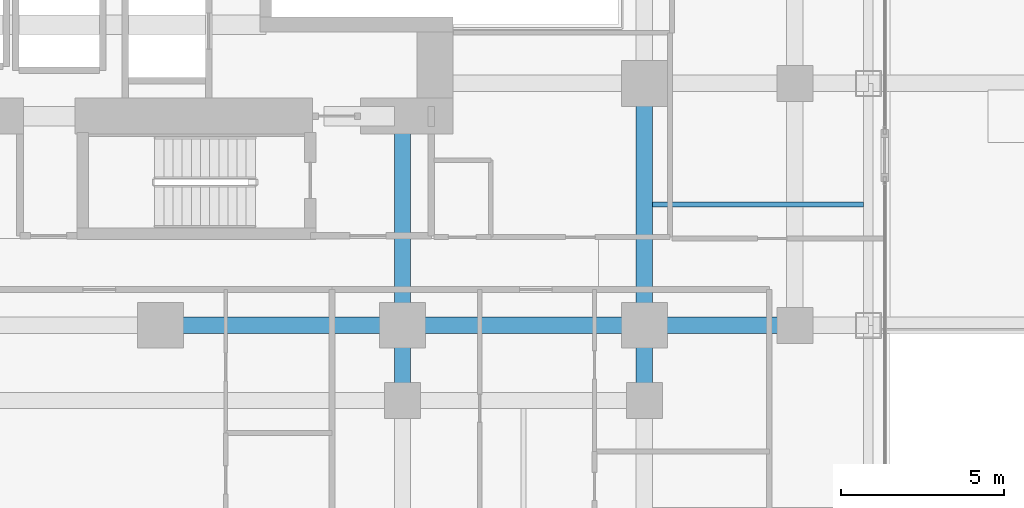
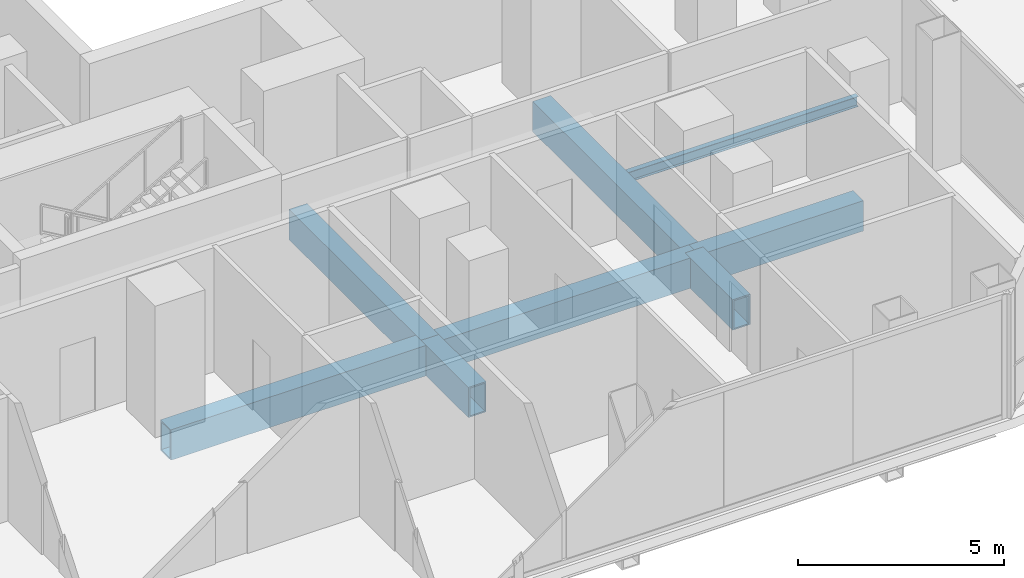
# One storey, part 9 of 29: 8 beams.
"""IFC4 building model written with IfcOpenShell, lengths in metres."""

from ifc_helpers import new_model, si_unit, direction, frame, origin, origin_2d, place, context, subcontext, project, spatial, hollow_rectangle, i_section, extrude, material, material_profile, profile_set, type_object, element, save


model = new_model("IFC4")

# Units and contexts
model_context = context("Model", 3, precision=1e-05, world=origin(), true_north=direction((0.0, 1.0)))
body_context = subcontext(model_context, "Body", "Model", "MODEL_VIEW")
ifc_project = project(units=[si_unit("LENGTHUNIT", "METRE"), si_unit("AREAUNIT", "SQUARE_METRE"), si_unit("VOLUMEUNIT", "CUBIC_METRE"), si_unit("PLANEANGLEUNIT", "RADIAN"), si_unit("MASSUNIT", "GRAM", prefix="KILO")], contexts=[model_context])

# Site, building, storey
site_placement = place(None, origin())
site = spatial("IfcSite", under=ifc_project, at=site_placement, CompositionType="ELEMENT")
building_placement = place(site_placement, origin())
building = spatial("IfcBuilding", under=site, at=building_placement, Name="Khorvyn Point Tower", CompositionType="ELEMENT")
storey_placement = place(building_placement, frame((0.0, 0.0, 54.0)))
storey = spatial("IfcBuildingStorey", under=building, at=storey_placement, Name="L14", CompositionType="ELEMENT", Elevation=54.0)

# Beams
ifc_material_1 = material(Name="Steel S355", Category="steel")
ifc_material_profile_1 = material_profile(ifc_material_1, i_section(OverallWidth=0.14990234375, OverallDepth=0.300048828125, WebThickness=0.006591796875, FlangeThickness=0.009033203125, at=origin_2d()))
ifc_profile_set_1 = profile_set([ifc_material_profile_1], Name="Steel S355 H300x150x6.5x9")
beam_type_1 = type_object("IfcBeamType", Name="Steel S355 Joist H300x150x6.5x9", PredefinedType="JOIST", material=ifc_profile_set_1)
beam_1_placement = place(storey_placement, frame((15.050048828125, -11.10009765625, -0.429931640625), z_axis=(1.0, 0.0, 0.0), x_axis=(0.0, 1.0, 0.0)))
element("IfcBeam", 1, at=beam_1_placement, inside=storey, type_object=beam_type_1, Name="Beam", PredefinedType="JOIST", context=body_context, shape_type="SweptSolid", body=[
    extrude(i_section(OverallWidth=0.14990234375, OverallDepth=0.300048828125, WebThickness=0.006591796875, FlangeThickness=0.009033203125, at=origin_2d()), origin(), (0.0, 0.0, 1.0), 6.449951171875),
])
ifc_material_2 = material(Name="Steel S450", Category="steel")
ifc_material_profile_2 = material_profile(ifc_material_2, hollow_rectangle(XDim=0.5, YDim=0.89990234375, WallThickness=0.0400390625, at=origin_2d()))
ifc_profile_set_2 = profile_set([ifc_material_profile_2], Name="Steel S450 BOX900x500x40")
beam_type_2 = type_object("IfcBeamType", Name="Steel S450 Beam BOX900x500x40", PredefinedType="BEAM", material=ifc_profile_set_2)
beam_2_placement = place(storey_placement, frame((0.0, -14.800048828125, -0.72998046875), z_axis=(1.0, 0.0, 0.0), x_axis=(0.0, 1.0, 0.0)))
element("IfcBeam", 2, at=beam_2_placement, inside=storey, type_object=beam_type_2, Name="L14 Radial Transfer Girder", PredefinedType="BEAM", context=body_context, shape_type="SweptSolid", body=[
    extrude(hollow_rectangle(XDim=0.5, YDim=0.89990234375, WallThickness=0.0400390625, at=origin_2d()), origin(), (0.0, 0.0, 1.0), 7.39990234375),
])
beam_3_placement = place(storey_placement, frame((7.39990234375, -14.800048828125, -0.72998046875), z_axis=(1.0, 0.0, 0.0), x_axis=(0.0, 1.0, 0.0)))
element("IfcBeam", 3, at=beam_3_placement, inside=storey, type_object=beam_type_2, Name="L14 Radial Transfer Girder", PredefinedType="BEAM", context=body_context, shape_type="SweptSolid", body=[
    extrude(hollow_rectangle(XDim=0.5, YDim=0.89990234375, WallThickness=0.0400390625, at=origin_2d()), origin(), (0.0, 0.0, 1.0), 7.400146484375),
])
beam_4_placement = place(storey_placement, frame((14.800048828125, -14.800048828125, -0.72998046875), z_axis=(1.0, 0.0, 0.0), x_axis=(0.0, 1.0, 0.0)))
element("IfcBeam", 4, at=beam_4_placement, inside=storey, type_object=beam_type_2, Name="L14 Radial Transfer Girder", PredefinedType="BEAM", context=body_context, shape_type="SweptSolid", body=[
    extrude(hollow_rectangle(XDim=0.5, YDim=0.89990234375, WallThickness=0.0400390625, at=origin_2d()), origin(), (0.0, 0.0, 1.0), 4.599853515625),
])
beam_5_placement = place(storey_placement, frame((14.800048828125, -17.10009765625, -0.72998046875), z_axis=(0.0, 1.0, 0.0), x_axis=(-1.0, 0.0, 0.0)))
element("IfcBeam", 5, at=beam_5_placement, inside=storey, type_object=beam_type_2, Name="L14 Radial Transfer Girder", PredefinedType="BEAM", context=body_context, shape_type="SweptSolid", body=[
    extrude(hollow_rectangle(XDim=0.5, YDim=0.89990234375, WallThickness=0.0400390625, at=origin_2d()), origin(), (0.0, 0.0, 1.0), 2.300048828125),
])
beam_6_placement = place(storey_placement, frame((14.800048828125, -14.800048828125, -0.72998046875), z_axis=(0.0, 1.0, 0.0), x_axis=(-1.0, 0.0, 0.0)))
element("IfcBeam", 6, at=beam_6_placement, inside=storey, type_object=beam_type_2, Name="L14 Radial Transfer Girder", PredefinedType="BEAM", context=body_context, shape_type="SweptSolid", body=[
    extrude(hollow_rectangle(XDim=0.5, YDim=0.89990234375, WallThickness=0.0400390625, at=origin_2d()), origin(), (0.0, 0.0, 1.0), 7.400146484375),
])
beam_7_placement = place(storey_placement, frame((7.39990234375, -17.10009765625, -0.72998046875), z_axis=(0.0, 1.0, 0.0), x_axis=(-1.0, 0.0, 0.0)))
element("IfcBeam", 7, at=beam_7_placement, inside=storey, type_object=beam_type_2, Name="Beam", PredefinedType="BEAM", context=body_context, shape_type="SweptSolid", body=[
    extrude(hollow_rectangle(XDim=0.5, YDim=0.89990234375, WallThickness=0.0400390625, at=origin_2d()), origin(), (0.0, 0.0, 1.0), 2.300048828125),
])
beam_8_placement = place(storey_placement, frame((7.39990234375, -14.800048828125, -0.72998046875), z_axis=(0.0, 1.0, 0.0), x_axis=(-1.0, 0.0, 0.0)))
element("IfcBeam", 8, at=beam_8_placement, inside=storey, type_object=beam_type_2, Name="Beam", PredefinedType="BEAM", context=body_context, shape_type="SweptSolid", body=[
    extrude(hollow_rectangle(XDim=0.5, YDim=0.89990234375, WallThickness=0.0400390625, at=origin_2d()), origin(), (0.0, 0.0, 1.0), 6.400146484375),
])

save(model, "model.ifc")
